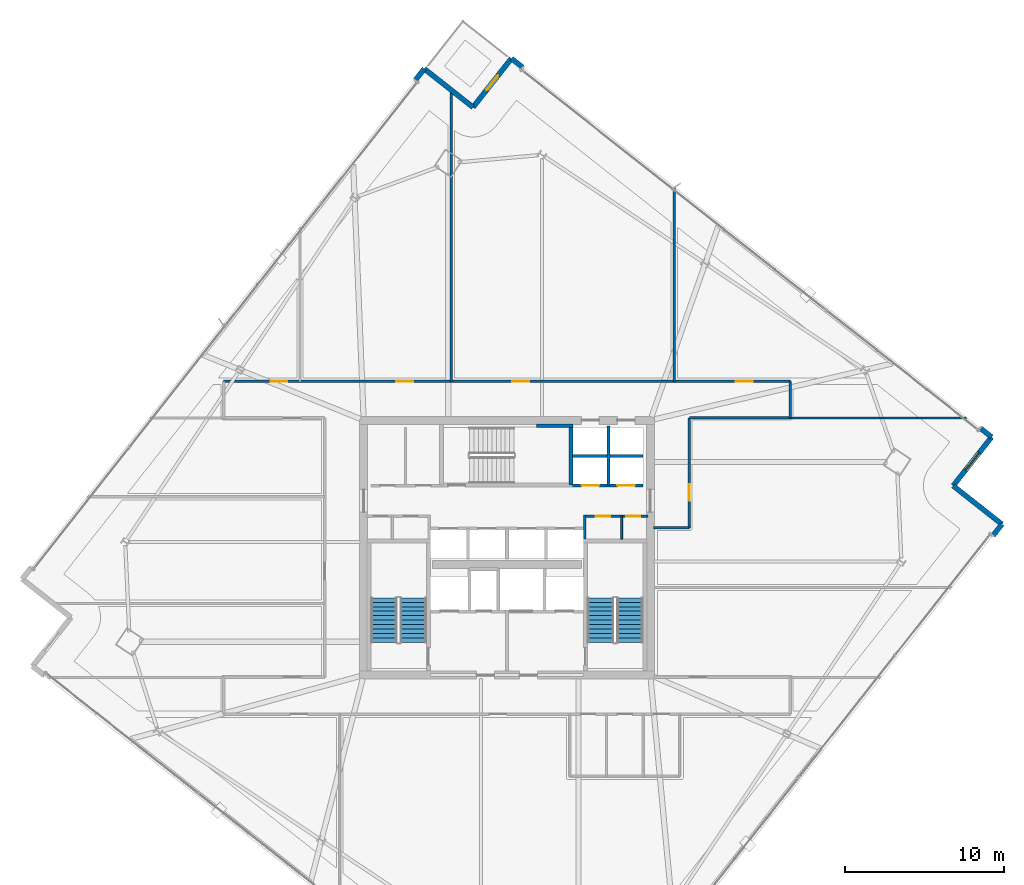
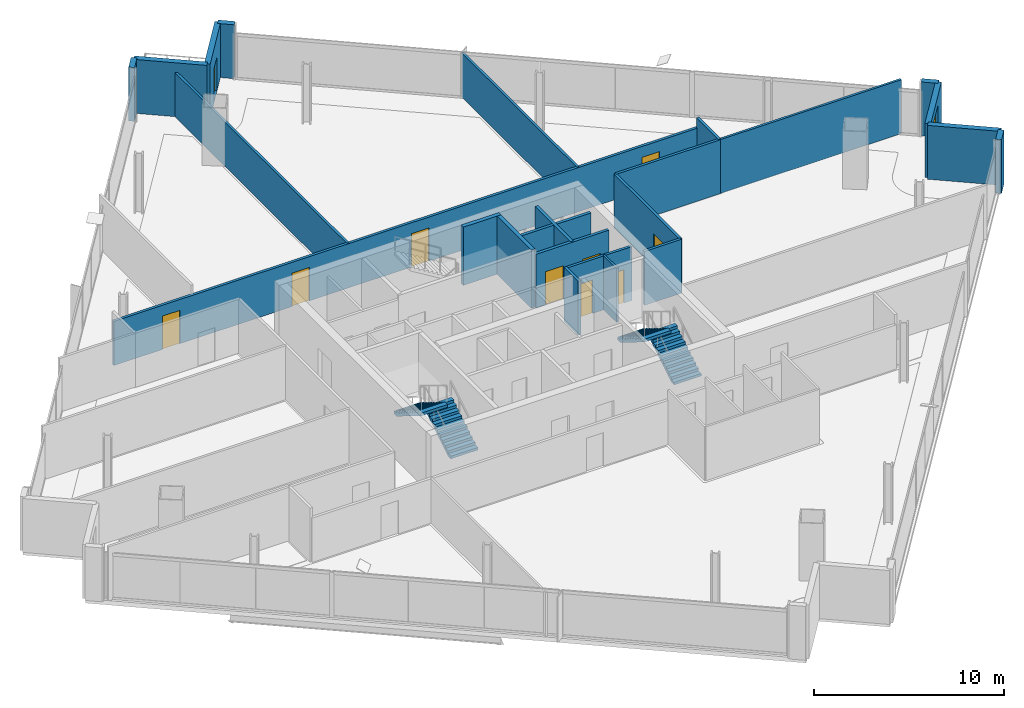
# One storey, part 22 of 28: 24 walls, 10 doors, 4 stair flights, 1 window, 11 openings, 2 elements without a shape of their own.
"""IFC4 building model written with IfcOpenShell, lengths in metres."""

from ifc_helpers import new_model, si_unit, direction, frame, frame_2d, origin, place, context, subcontext, project, spatial, polyline, rectangle, outline, extrude, material, layer, layer_set, type_object, element, fill, aggregate, save


model = new_model("IFC4")

# Units and contexts
model_context = context("Model", 3, precision=1e-05, world=origin(), true_north=direction((0.0, 1.0)))
body_context = subcontext(model_context, "Body", "Model", "MODEL_VIEW")
ifc_project = project(units=[si_unit("LENGTHUNIT", "METRE"), si_unit("AREAUNIT", "SQUARE_METRE"), si_unit("VOLUMEUNIT", "CUBIC_METRE"), si_unit("PLANEANGLEUNIT", "RADIAN"), si_unit("MASSUNIT", "GRAM", prefix="KILO")], contexts=[model_context])

# Site, building, storey
site_placement = place(None, origin())
site = spatial("IfcSite", under=ifc_project, at=site_placement, CompositionType="ELEMENT")
building_placement = place(site_placement, origin())
building = spatial("IfcBuilding", under=site, at=building_placement, Name="Haldenkirk Collegiate Tower", CompositionType="ELEMENT")
storey_placement = place(building_placement, frame((0.0, 0.0, 202.199951171875)))
storey = spatial("IfcBuildingStorey", under=building, at=storey_placement, Name="L50", CompositionType="ELEMENT", Elevation=202.199951171875)

# Walls
ifc_material_1 = material(Name="Precast concrete f'c 40 MPa", Category="concrete")
ifc_layer_1 = layer(ifc_material_1, 0.320068359375)
ifc_layer_set_1 = layer_set([ifc_layer_1], Name="Precast concrete f'c 40 MPa")
wall_type_1 = type_object("IfcWallType", Name="WL-EXT-TWR-320", PredefinedType="STANDARD", material=ifc_layer_set_1)
wall_1_placement = place(storey_placement, frame((67.08447265625, 27.4716796875, 0.0), z_axis=(0.0, 0.0, 1.0), x_axis=(-0.61905480333, -0.785347789501, 0.0)))
element("IfcWall", 1, at=wall_1_placement, inside=storey, type_object=wall_type_1, Name="L50 precast corner pier SL", PredefinedType="STANDARD", context=body_context, shape_type="SweptSolid", body=[
    extrude(rectangle(XDim=0.89990234375, YDim=0.320068359375, at=frame_2d((0.449951171875, 0.0))), origin(), (0.0, 0.0, 1.0), 3.469970703125),
])
wall_2_placement = place(storey_placement, frame((64.021728515625, 29.88623046875, 0.0), z_axis=(0.0, 0.0, 1.0), x_axis=(0.785307209053, -0.61910628119, 0.0)))
element("IfcWall", 2, at=wall_2_placement, inside=storey, type_object=wall_type_1, Name="L50 bronze precast notch wall 02", PredefinedType="STANDARD", context=body_context, shape_type="SweptSolid", body=[
    extrude(rectangle(XDim=3.900146484375, YDim=0.320068359375, at=frame_2d((1.9501953125, 0.0))), origin(), (0.0, 0.0, 1.0), 3.469970703125),
])

# Wall, opening, window
wall_3_placement = place(storey_placement, frame((66.436279296875, 32.948974609375, 0.0), z_axis=(0.0, 0.0, 1.0), x_axis=(-0.61910628119, -0.785307209053, 0.0)))
wall_3 = element("IfcWall", 3, at=wall_3_placement, inside=storey, type_object=wall_type_1, Name="L50 bronze precast notch wall 03", PredefinedType="STANDARD", context=body_context, shape_type="SweptSolid", body=[
    extrude(rectangle(XDim=3.900146484375, YDim=0.320068359375, at=frame_2d((1.9501953125, 0.0))), origin(), (0.0, 0.0, 1.0), 3.469970703125),
])
opening_1_placement = place(wall_3_placement, frame((1.25, 0.0, 0.85009765625)))
opening_1 = element("IfcOpeningElement", 4, at=opening_1_placement, cuts=wall_3, Name="Opening W-06", PredefinedType="OPENING", context=body_context, shape_type="SweptSolid", body=[
    extrude(rectangle(XDim=1.39990234375, YDim=2.0, at=frame_2d((0.699951171875, 1.0))), frame((0.0, 0.169921875, 0.0), z_axis=(0.0, -1.0, 0.0), x_axis=(1.0, 0.0, 0.0)), (0.0, 0.0, 1.0), 0.340087890625),
])
ifc_material_2 = material(Name="Low-E argon triple insulating glass", Category="glass")
ifc_layer_2 = layer(ifc_material_2, 0.090087890625)
ifc_layer_set_2 = layer_set([ifc_layer_2], Name="Low-E argon triple insulating glass")
window_type = type_object("IfcWindowType", Name="WN-Z4-1400X2000", PartitioningType="SINGLE_PANEL", PredefinedType="WINDOW", material=ifc_layer_set_2)
window_placement = place(opening_1_placement, origin())
window = element("IfcWindow", 5, at=window_placement, inside=storey, type_object=window_type, Name="L50 precast-frame academic window 2", OverallHeight=2.0, OverallWidth=1.39990234375, PartitioningType="SINGLE_PANEL", PredefinedType="WINDOW", context=body_context, shape_type="SweptSolid", body=[
    extrude(rectangle(XDim=1.39990234375, YDim=2.0, at=frame_2d((0.699951171875, 1.0))), frame((0.0, 0.030029296875, 0.0), z_axis=(0.0, -1.0, 0.0), x_axis=(1.0, 0.0, 0.0)), (0.0, 0.0, 1.0), 0.06005859375),
])
fill(opening_1, window)

# Walls
for number, where, z_axis, x_axis, name in (
    (6, (36.280029296875, 56.72216796875, 0.0), (0.0, 0.0, 1.0), (0.785347789501, -0.61905480333, 0.0), "L50 precast corner pier EL"),
    (7, (65.7294921875, 33.506103515625, 0.0), (0.0, 0.0, 1.0), (0.785347789501, -0.61905480333, 0.0), "L50 precast corner pier ER"),
):
    element("IfcWall", number, at=place(storey_placement, frame(where, z_axis=z_axis, x_axis=x_axis)), inside=storey, type_object=wall_type_1, Name=name, PredefinedType="STANDARD", context=body_context, shape_type="SweptSolid", body=[
        extrude(rectangle(XDim=0.89990234375, YDim=0.320068359375, at=frame_2d((0.449951171875, 0.0))), origin(), (0.0, 0.0, 1.0), 3.469970703125),
    ])

# Wall, opening, door
wall_4_placement = place(storey_placement, frame((33.865478515625, 53.659423828125, 0.0), z_axis=(0.0, 0.0, 1.0), x_axis=(0.61910628119, 0.785307209053, 0.0)))
wall_4 = element("IfcWall", 8, at=wall_4_placement, inside=storey, type_object=wall_type_1, Name="L50 bronze precast notch wall 05", PredefinedType="STANDARD", context=body_context, shape_type="SweptSolid", body=[
    extrude(rectangle(XDim=3.900146484375, YDim=0.320068359375, at=frame_2d((1.9501953125, 0.0))), origin(), (0.0, 0.0, 1.0), 3.469970703125),
])
opening_2_placement = place(wall_4_placement, frame((1.375, 0.0, 0.0)))
opening_2 = element("IfcOpeningElement", 9, at=opening_2_placement, cuts=wall_4, Name="Opening D-ST11", PredefinedType="OPENING", context=body_context, shape_type="SweptSolid", body=[
    extrude(rectangle(XDim=1.14990234375, YDim=2.199951171875, at=frame_2d((0.574951171875, 1.10009765625))), frame((0.0, 0.169921875, 0.0), z_axis=(0.0, -1.0, 0.0), x_axis=(1.0, 0.0, 0.0)), (0.0, 0.0, 1.0), 0.340087890625),
])
ifc_material_3 = material(Name="Anodised architectural bronze aluminium", Category="aluminium")
ifc_layer_3 = layer(ifc_material_3, 0.080078125)
ifc_layer_set_3 = layer_set([ifc_layer_3], Name="Anodised architectural bronze aluminium")
door_type_1 = type_object("IfcDoorType", Name="DR-EXT-STER-1150", OperationType="NOTDEFINED", PredefinedType="DOOR", material=ifc_layer_set_3)
door_1_placement = place(opening_2_placement, origin())
door_1 = element("IfcDoor", 10, at=door_1_placement, inside=storey, type_object=door_type_1, Name="L50 spiralling terrace door", OperationType="SINGLE_SWING_LEFT", OverallHeight=2.199951171875, OverallWidth=1.14990234375, PredefinedType="DOOR", context=body_context, shape_type="SweptSolid", body=[
    extrude(rectangle(XDim=1.14990234375, YDim=2.199951171875, at=frame_2d((0.574951171875, 1.10009765625))), frame((0.0, 0.02490234375, 0.0), z_axis=(0.0, -1.0, 0.0), x_axis=(1.0, 0.0, 0.0)), (0.0, 0.0, 1.0), 0.050048828125),
])
fill(opening_2, door_1)

# Walls
wall_5_placement = place(storey_placement, frame((30.802734375, 56.073974609375, 0.0), z_axis=(0.0, 0.0, 1.0), x_axis=(0.785307209053, -0.61910628119, 0.0)))
element("IfcWall", 11, at=wall_5_placement, inside=storey, type_object=wall_type_1, Name="L50 bronze precast notch wall 06", PredefinedType="STANDARD", context=body_context, shape_type="SweptSolid", body=[
    extrude(rectangle(XDim=3.900146484375, YDim=0.320068359375, at=frame_2d((1.9501953125, 0.0))), origin(), (0.0, 0.0, 1.0), 3.469970703125),
])
wall_6_placement = place(storey_placement, frame((30.24560546875, 55.3671875, 0.0), z_axis=(0.0, 0.0, 1.0), x_axis=(0.61905480333, 0.785347789501, 0.0)))
element("IfcWall", 12, at=wall_6_placement, inside=storey, type_object=wall_type_1, Name="L50 precast corner pier NR", PredefinedType="STANDARD", context=body_context, shape_type="SweptSolid", body=[
    extrude(rectangle(XDim=0.89990234375, YDim=0.320068359375, at=frame_2d((0.449951171875, 0.0))), origin(), (0.0, 0.0, 1.0), 3.469970703125),
])

# Wall, openings, doors
ifc_material_4 = material(Name="Acoustic fire-rated gypsum partition", Category="concrete")
ifc_layer_4 = layer(ifc_material_4, 0.159912109375)
ifc_layer_set_4 = layer_set([ifc_layer_4], Name="Acoustic fire-rated gypsum partition")
wall_type_2 = type_object("IfcWallType", Name="WL-INT-CORR-160", PredefinedType="PARTITIONING", material=ifc_layer_set_4)
wall_7_placement = place(storey_placement, frame((40.800048828125, 27.97998046875, 0.0), z_axis=(0.0, 0.0, 1.0), x_axis=(1.0, 0.0, 0.0)))
wall_7 = element("IfcWall", 13, at=wall_7_placement, inside=storey, type_object=wall_type_2, Name="L50 interior partition IW-L50-VCSE-N", PredefinedType="PARTITIONING", context=body_context, shape_type="SweptSolid", body=[
    extrude(rectangle(XDim=4.050048828125, YDim=0.159912109375, at=frame_2d((2.02490234375, 0.0))), origin(), (0.0, 0.0, 1.0), 3.469970703125),
])
opening_3_placement = place(wall_7_placement, frame((0.77001953125, 0.0, 0.0)))
opening_3 = element("IfcOpeningElement", 14, at=opening_3_placement, cuts=wall_7, Name="Opening D-11", PredefinedType="OPENING", context=body_context, shape_type="SweptSolid", body=[
    extrude(rectangle(XDim=0.89990234375, YDim=2.14990234375, at=frame_2d((0.449951171875, 1.074951171875))), frame((0.0, 0.08984375, 0.0), z_axis=(0.0, -1.0, 0.0), x_axis=(1.0, 0.0, 0.0)), (0.0, 0.0, 1.0), 0.179931640625),
])
opening_4_placement = place(wall_7_placement, frame((2.679931640625, 0.0, 0.0)))
opening_4 = element("IfcOpeningElement", 15, at=opening_4_placement, cuts=wall_7, Name="Opening D-11", PredefinedType="OPENING", context=body_context, shape_type="SweptSolid", body=[
    extrude(rectangle(XDim=0.89990234375, YDim=2.14990234375, at=frame_2d((0.449951171875, 1.074951171875))), frame((0.0, 0.08984375, 0.0), z_axis=(0.0, -1.0, 0.0), x_axis=(1.0, 0.0, 0.0)), (0.0, 0.0, 1.0), 0.179931640625),
])
ifc_material_5 = material(Name="Solid-core architectural oak fire door", Category="wood")
ifc_layer_5 = layer(ifc_material_5, 0.06005859375)
ifc_layer_set_5 = layer_set([ifc_layer_5], Name="Solid-core architectural oak fire door")
door_type_2 = type_object("IfcDoorType", Name="DR-INT-FD60-900", OperationType="NOTDEFINED", PredefinedType="DOOR", material=ifc_layer_set_5)
door_2_placement = place(opening_3_placement, origin())
door_2 = element("IfcDoor", 16, at=door_2_placement, inside=storey, type_object=door_type_2, Name="L50 core archive door", OperationType="SINGLE_SWING_LEFT", OverallHeight=2.14990234375, OverallWidth=0.89990234375, PredefinedType="DOOR", context=body_context, shape_type="SweptSolid", body=[
    extrude(rectangle(XDim=0.89990234375, YDim=2.14990234375, at=frame_2d((0.449951171875, 1.074951171875))), frame((0.0, 0.02490234375, 0.0), z_axis=(0.0, -1.0, 0.0), x_axis=(1.0, 0.0, 0.0)), (0.0, 0.0, 1.0), 0.050048828125),
])
fill(opening_3, door_2)
door_3_placement = place(opening_4_placement, origin())
door_3 = element("IfcDoor", 17, at=door_3_placement, inside=storey, type_object=door_type_2, Name="L50 core telecom door", OperationType="SINGLE_SWING_RIGHT", OverallHeight=2.14990234375, OverallWidth=0.89990234375, PredefinedType="DOOR", context=body_context, shape_type="SweptSolid", body=[
    extrude(rectangle(XDim=0.89990234375, YDim=2.14990234375, at=frame_2d((0.449951171875, 1.074951171875))), frame((0.0, 0.02490234375, 0.0), z_axis=(0.0, -1.0, 0.0), x_axis=(1.0, 0.0, 0.0)), (0.0, 0.0, 1.0), 0.050048828125),
])
fill(opening_4, door_3)

# Wall
wall_8_placement = place(storey_placement, frame((40.8798828125, 26.5400390625, 0.0), z_axis=(0.0, 0.0, 1.0), x_axis=(0.0, 1.0, 0.0)))
element("IfcWall", 18, at=wall_8_placement, inside=storey, type_object=wall_type_2, Name="L50 interior partition IW-L50-VCSE-W", PredefinedType="PARTITIONING", context=body_context, shape_type="SweptSolid", body=[
    extrude(rectangle(XDim=1.510009765625, YDim=0.159912109375, at=frame_2d((0.7548828125, 0.0))), origin(), (0.0, 0.0, 1.0), 3.469970703125),
])

# Wall, openings, doors
wall_9_placement = place(storey_placement, frame((18.199951171875, 36.449951171875, 0.0), z_axis=(0.0, 0.0, 1.0), x_axis=(1.0, 0.0, 0.0)))
wall_9 = element("IfcWall", 19, at=wall_9_placement, inside=storey, type_object=wall_type_2, Name="L50 interior partition IW-L50-CN", PredefinedType="PARTITIONING", context=body_context, shape_type="SweptSolid", body=[
    extrude(rectangle(XDim=35.60009765625, YDim=0.159912109375, at=frame_2d((17.800048828125, 0.0))), origin(), (0.0, 0.0, 1.0), 2.84912109375),
])
opening_5_placement = place(wall_9_placement, frame((2.965087890625, 0.0, 0.0)))
opening_5 = element("IfcOpeningElement", 20, at=opening_5_placement, cuts=wall_9, Name="Opening D-09", PredefinedType="OPENING", context=body_context, shape_type="SweptSolid", body=[
    extrude(rectangle(XDim=1.050048828125, YDim=2.14990234375, at=frame_2d((0.52490234375, 1.074951171875))), frame((0.0, 0.08984375, 0.0), z_axis=(0.0, -1.0, 0.0), x_axis=(1.0, 0.0, 0.0)), (0.0, 0.0, 1.0), 0.179931640625),
])
opening_6_placement = place(wall_9_placement, frame((10.85498046875, 0.0, 0.0)))
opening_6 = element("IfcOpeningElement", 21, at=opening_6_placement, cuts=wall_9, Name="Opening D-09", PredefinedType="OPENING", context=body_context, shape_type="SweptSolid", body=[
    extrude(rectangle(XDim=1.050048828125, YDim=2.14990234375, at=frame_2d((0.52490234375, 1.074951171875))), frame((0.0, 0.08984375, 0.0), z_axis=(0.0, -1.0, 0.0), x_axis=(1.0, 0.0, 0.0)), (0.0, 0.0, 1.0), 0.179931640625),
])
opening_7_placement = place(wall_9_placement, frame((18.135009765625, 0.0, 0.0)))
opening_7 = element("IfcOpeningElement", 22, at=opening_7_placement, cuts=wall_9, Name="Opening D-09", PredefinedType="OPENING", context=body_context, shape_type="SweptSolid", body=[
    extrude(rectangle(XDim=1.050048828125, YDim=2.14990234375, at=frame_2d((0.52490234375, 1.074951171875))), frame((0.0, 0.08984375, 0.0), z_axis=(0.0, -1.0, 0.0), x_axis=(1.0, 0.0, 0.0)), (0.0, 0.0, 1.0), 0.179931640625),
])
opening_8_placement = place(wall_9_placement, frame((32.175048828125, 0.0, 0.0)))
opening_8 = element("IfcOpeningElement", 23, at=opening_8_placement, cuts=wall_9, Name="Opening D-09", PredefinedType="OPENING", context=body_context, shape_type="SweptSolid", body=[
    extrude(rectangle(XDim=1.050048828125, YDim=2.14990234375, at=frame_2d((0.52490234375, 1.074951171875))), frame((0.0, 0.08984375, 0.0), z_axis=(0.0, -1.0, 0.0), x_axis=(1.0, 0.0, 0.0)), (0.0, 0.0, 1.0), 0.179931640625),
])
ifc_layer_6 = layer(ifc_material_5, 0.06005859375)
ifc_layer_set_6 = layer_set([ifc_layer_6], Name="Solid-core architectural oak fire door")
door_type_3 = type_object("IfcDoorType", Name="DR-INT-FD60-1050", OperationType="NOTDEFINED", PredefinedType="DOOR", material=ifc_layer_set_6)
door_4_placement = place(opening_5_placement, origin())
door_4 = element("IfcDoor", 24, at=door_4_placement, inside=storey, type_object=door_type_3, Name="L50 Wet Science Laboratory 3 door", OperationType="SINGLE_SWING_RIGHT", OverallHeight=2.14990234375, OverallWidth=1.050048828125, PredefinedType="DOOR", context=body_context, shape_type="SweptSolid", body=[
    extrude(rectangle(XDim=1.050048828125, YDim=2.14990234375, at=frame_2d((0.52490234375, 1.074951171875))), frame((0.0, 0.02490234375, 0.0), z_axis=(0.0, -1.0, 0.0), x_axis=(1.0, 0.0, 0.0)), (0.0, 0.0, 1.0), 0.050048828125),
])
fill(opening_5, door_4)
door_5_placement = place(opening_6_placement, origin())
door_5 = element("IfcDoor", 25, at=door_5_placement, inside=storey, type_object=door_type_3, Name="L50 Optics Research Laboratory 4 door", OperationType="SINGLE_SWING_LEFT", OverallHeight=2.14990234375, OverallWidth=1.050048828125, PredefinedType="DOOR", context=body_context, shape_type="SweptSolid", body=[
    extrude(rectangle(XDim=1.050048828125, YDim=2.14990234375, at=frame_2d((0.52490234375, 1.074951171875))), frame((0.0, 0.02490234375, 0.0), z_axis=(0.0, -1.0, 0.0), x_axis=(1.0, 0.0, 0.0)), (0.0, 0.0, 1.0), 0.050048828125),
])
fill(opening_6, door_5)
door_6_placement = place(opening_7_placement, origin())
door_6 = element("IfcDoor", 26, at=door_6_placement, inside=storey, type_object=door_type_3, Name="L50 Departmental Archive 5 door", OperationType="SINGLE_SWING_RIGHT", OverallHeight=2.14990234375, OverallWidth=1.050048828125, PredefinedType="DOOR", context=body_context, shape_type="SweptSolid", body=[
    extrude(rectangle(XDim=1.050048828125, YDim=2.14990234375, at=frame_2d((0.52490234375, 1.074951171875))), frame((0.0, 0.02490234375, 0.0), z_axis=(0.0, -1.0, 0.0), x_axis=(1.0, 0.0, 0.0)), (0.0, 0.0, 1.0), 0.050048828125),
])
fill(opening_7, door_6)
door_7_placement = place(opening_8_placement, origin())
door_7 = element("IfcDoor", 27, at=door_7_placement, inside=storey, type_object=door_type_3, Name="L50 Instrument Store Room 6 door", OperationType="SINGLE_SWING_LEFT", OverallHeight=2.14990234375, OverallWidth=1.050048828125, PredefinedType="DOOR", context=body_context, shape_type="SweptSolid", body=[
    extrude(rectangle(XDim=1.050048828125, YDim=2.14990234375, at=frame_2d((0.52490234375, 1.074951171875))), frame((0.0, 0.02490234375, 0.0), z_axis=(0.0, -1.0, 0.0), x_axis=(1.0, 0.0, 0.0)), (0.0, 0.0, 1.0), 0.050048828125),
])
fill(opening_8, door_7)

# Wall
wall_10_placement = place(storey_placement, frame((47.449951171875, 34.14990234375, 0.0), z_axis=(0.0, 0.0, 1.0), x_axis=(1.0, 0.0, 0.0)))
element("IfcWall", 28, at=wall_10_placement, inside=storey, type_object=wall_type_2, Name="L50 interior partition IW-L50-CNE", PredefinedType="PARTITIONING", context=body_context, shape_type="SweptSolid", body=[
    extrude(rectangle(XDim=6.35009765625, YDim=0.159912109375, at=frame_2d((3.175048828125, 0.0))), origin(), (0.0, 0.0, 1.0), 3.469970703125),
])

# Wall, opening, door
wall_11_placement = place(storey_placement, frame((47.449951171875, 27.25, 0.0), z_axis=(0.0, 0.0, 1.0), x_axis=(0.0, 1.0, 0.0)))
wall_11 = element("IfcWall", 29, at=wall_11_placement, inside=storey, type_object=wall_type_2, Name="L50 interior partition IW-L50-CE", PredefinedType="PARTITIONING", context=body_context, shape_type="SweptSolid", body=[
    extrude(rectangle(XDim=6.89990234375, YDim=0.159912109375, at=frame_2d((3.449951171875, 0.0))), origin(), (0.0, 0.0, 1.0), 3.469970703125),
])
opening_9_placement = place(wall_11_placement, frame((1.68310546875, 0.0, 0.0)))
opening_9 = element("IfcOpeningElement", 30, at=opening_9_placement, cuts=wall_11, Name="Opening D-09", PredefinedType="OPENING", context=body_context, shape_type="SweptSolid", body=[
    extrude(rectangle(XDim=1.050048828125, YDim=2.14990234375, at=frame_2d((0.52490234375, 1.074951171875))), frame((0.0, 0.08984375, 0.0), z_axis=(0.0, -1.0, 0.0), x_axis=(1.0, 0.0, 0.0)), (0.0, 0.0, 1.0), 0.179931640625),
])
door_8_placement = place(opening_9_placement, origin())
door_8 = element("IfcDoor", 31, at=door_8_placement, inside=storey, type_object=door_type_3, Name="L50 Departmental Archive 11 door", OperationType="SINGLE_SWING_RIGHT", OverallHeight=2.14990234375, OverallWidth=1.050048828125, PredefinedType="DOOR", context=body_context, shape_type="SweptSolid", body=[
    extrude(rectangle(XDim=1.050048828125, YDim=2.14990234375, at=frame_2d((0.52490234375, 1.074951171875))), frame((0.0, 0.02490234375, 0.0), z_axis=(0.0, -1.0, 0.0), x_axis=(1.0, 0.0, 0.0)), (0.0, 0.0, 1.0), 0.050048828125),
])
fill(opening_9, door_8)

# Walls
wall_12_placement = place(storey_placement, frame((45.199951171875, 27.25, 0.0), z_axis=(0.0, 0.0, 1.0), x_axis=(1.0, 0.0, 0.0)))
element("IfcWall", 32, at=wall_12_placement, inside=storey, type_object=wall_type_2, Name="L50 interior partition IW-L50-CES", PredefinedType="PARTITIONING", context=body_context, shape_type="SweptSolid", body=[
    extrude(rectangle(XDim=2.25, YDim=0.159912109375, at=frame_2d((1.125, 0.0))), origin(), (0.0, 0.0, 1.0), 3.469970703125),
])
wall_13_placement = place(storey_placement, frame((53.800048828125, 34.14990234375, 0.0), z_axis=(0.0, 0.0, 1.0), x_axis=(0.0, 1.0, 0.0)))
element("IfcWall", 33, at=wall_13_placement, inside=storey, type_object=wall_type_2, Name="L50 interior partition IW-L50-CNR", PredefinedType="PARTITIONING", context=body_context, shape_type="SweptSolid", body=[
    extrude(rectangle(XDim=2.300048828125, YDim=0.159912109375, at=frame_2d((1.14990234375, 0.0))), origin(), (0.0, 0.0, 1.0), 3.469970703125),
])
ifc_layer_7 = layer(ifc_material_4, 0.139892578125)
ifc_layer_set_7 = layer_set([ifc_layer_7], Name="Acoustic fire-rated gypsum partition")
wall_type_3 = type_object("IfcWallType", Name="WL-INT-DIV-140", PredefinedType="PARTITIONING", material=ifc_layer_set_7)
wall_14_placement = place(storey_placement, frame((53.800048828125, 34.14990234375, 0.0), z_axis=(0.0, 0.0, 1.0), x_axis=(1.0, 0.0, 0.0)))
element("IfcWall", 34, at=wall_14_placement, inside=storey, type_object=wall_type_3, Name="L50 interior partition IW-L50-BEN", PredefinedType="PARTITIONING", context=body_context, shape_type="SweptSolid", body=[
    extrude(rectangle(XDim=11.048095703125, YDim=0.139892578125, at=frame_2d((5.52392578125, 0.0))), origin(), (0.0, 0.0, 1.0), 3.469970703125),
])
wall_15_placement = place(storey_placement, frame((32.5, 36.449951171875, 0.0), z_axis=(0.0, 0.0, 1.0), x_axis=(0.0, 1.0, 0.0)))
element("IfcWall", 35, at=wall_15_placement, inside=storey, type_object=wall_type_3, Name="L50 interior partition IW-L50-RN2", PredefinedType="PARTITIONING", context=body_context, shape_type="SweptSolid", body=[
    extrude(rectangle(XDim=18.235107421875, YDim=0.139892578125, at=frame_2d((9.11767578125, 0.0))), origin(), (0.0, 0.0, 1.0), 2.84912109375),
])
wall_16_placement = place(storey_placement, frame((46.5, 36.449951171875, 0.0), z_axis=(0.0, 0.0, 1.0), x_axis=(0.0, 1.0, 0.0)))
element("IfcWall", 36, at=wall_16_placement, inside=storey, type_object=wall_type_3, Name="L50 interior partition IW-L50-RN3", PredefinedType="PARTITIONING", context=body_context, shape_type="SweptSolid", body=[
    extrude(rectangle(XDim=12.16455078125, YDim=0.139892578125, at=frame_2d((6.082275390625, 0.0))), origin(), (0.0, 0.0, 1.0), 2.84912109375),
])

# Wall, openings, doors
ifc_material_6 = material(Name="Fire-rated gypsum shaftboard assembly", Category="concrete")
ifc_layer_8 = layer(ifc_material_6, 0.179931640625)
ifc_layer_set_8 = layer_set([ifc_layer_8], Name="Fire-rated gypsum shaftboard assembly")
wall_type_4 = type_object("IfcWallType", Name="WL-INT-SHAFT-180", PredefinedType="PARTITIONING", material=ifc_layer_set_8)
wall_17_placement = place(storey_placement, frame((40.1201171875, 29.89990234375, 0.0), z_axis=(0.0, 0.0, 1.0), x_axis=(1.0, 0.0, 0.0)))
wall_17 = element("IfcWall", 37, at=wall_17_placement, inside=storey, type_object=wall_type_4, Name="L50 interior partition IW-L50-PMS", PredefinedType="PARTITIONING", context=body_context, shape_type="SweptSolid", body=[
    extrude(rectangle(XDim=4.429931640625, YDim=0.179931640625, at=frame_2d((2.21484375, 0.0))), origin(), (0.0, 0.0, 1.0), 3.469970703125),
])
opening_10_placement = place(wall_17_placement, frame((0.56494140625, 0.0, 0.0)))
opening_10 = element("IfcOpeningElement", 38, at=opening_10_placement, cuts=wall_17, Name="Opening LD-11", PredefinedType="OPENING", context=body_context, shape_type="SweptSolid", body=[
    extrude(rectangle(XDim=1.10009765625, YDim=2.14990234375, at=frame_2d((0.550048828125, 1.074951171875))), frame((0.0, 0.099853515625, 0.0), z_axis=(0.0, -1.0, 0.0), x_axis=(1.0, 0.0, 0.0)), (0.0, 0.0, 1.0), 0.199951171875),
])
opening_11_placement = place(wall_17_placement, frame((2.81494140625, 0.0, 0.0)))
opening_11 = element("IfcOpeningElement", 39, at=opening_11_placement, cuts=wall_17, Name="Opening LD-11", PredefinedType="OPENING", context=body_context, shape_type="SweptSolid", body=[
    extrude(rectangle(XDim=1.10009765625, YDim=2.14990234375, at=frame_2d((0.550048828125, 1.074951171875))), frame((0.0, 0.099853515625, 0.0), z_axis=(0.0, -1.0, 0.0), x_axis=(1.0, 0.0, 0.0)), (0.0, 0.0, 1.0), 0.199951171875),
])
ifc_material_7 = material(Name="Brushed architectural stainless steel", Category="steel")
ifc_layer_9 = layer(ifc_material_7, 0.06005859375)
ifc_layer_set_9 = layer_set([ifc_layer_9], Name="Brushed architectural stainless steel")
door_type_4 = type_object("IfcDoorType", Name="LD-PASS-1100", OperationType="NOTDEFINED", PredefinedType="DOOR", material=ifc_layer_set_9)
door_9_placement = place(opening_10_placement, origin())
door_9 = element("IfcDoor", 40, at=door_9_placement, inside=storey, type_object=door_type_4, Name="L50 Elevator PM1 sliding landing door", OperationType="SLIDING_TO_LEFT", OverallHeight=2.14990234375, OverallWidth=1.10009765625, PredefinedType="DOOR", context=body_context, shape_type="SweptSolid", body=[
    extrude(rectangle(XDim=1.10009765625, YDim=2.14990234375, at=frame_2d((0.550048828125, 1.074951171875))), frame((0.0, 0.02490234375, 0.0), z_axis=(0.0, -1.0, 0.0), x_axis=(1.0, 0.0, 0.0)), (0.0, 0.0, 1.0), 0.050048828125),
])
fill(opening_10, door_9)
door_10_placement = place(opening_11_placement, origin())
door_10 = element("IfcDoor", 41, at=door_10_placement, inside=storey, type_object=door_type_4, Name="L50 Elevator PM2 sliding landing door", OperationType="SLIDING_TO_LEFT", OverallHeight=2.14990234375, OverallWidth=1.10009765625, PredefinedType="DOOR", context=body_context, shape_type="SweptSolid", body=[
    extrude(rectangle(XDim=1.10009765625, YDim=2.14990234375, at=frame_2d((0.550048828125, 1.074951171875))), frame((0.0, 0.02490234375, 0.0), z_axis=(0.0, -1.0, 0.0), x_axis=(1.0, 0.0, 0.0)), (0.0, 0.0, 1.0), 0.050048828125),
])
fill(opening_11, door_10)

# Walls
wall_18_placement = place(storey_placement, frame((40.1201171875, 31.75, 0.0), z_axis=(0.0, 0.0, 1.0), x_axis=(1.0, 0.0, 0.0)))
element("IfcWall", 42, at=wall_18_placement, inside=storey, type_object=wall_type_4, Name="L50 interior partition IW-L50-PMM", PredefinedType="PARTITIONING", context=body_context, shape_type="SweptSolid", body=[
    extrude(rectangle(XDim=4.429931640625, YDim=0.179931640625, at=frame_2d((2.21484375, 0.0))), origin(), (0.0, 0.0, 1.0), 3.469970703125),
])
wall_19_placement = place(storey_placement, frame((42.3701171875, 29.89990234375, 0.0), z_axis=(0.0, 0.0, 1.0), x_axis=(0.0, 1.0, 0.0)))
element("IfcWall", 43, at=wall_19_placement, inside=storey, type_object=wall_type_4, Name="L50 interior partition IW-L50-PMV", PredefinedType="PARTITIONING", context=body_context, shape_type="SweptSolid", body=[
    extrude(rectangle(XDim=3.75, YDim=0.179931640625, at=frame_2d((1.875, 0.0))), origin(), (0.0, 0.0, 1.0), 3.469970703125),
])
ifc_layer_10 = layer(ifc_material_4, 0.1201171875)
ifc_layer_set_10 = layer_set([ifc_layer_10], Name="Acoustic fire-rated gypsum partition")
wall_type_5 = type_object("IfcWallType", Name="WL-INT-WET-120", PredefinedType="PARTITIONING", material=ifc_layer_set_10)
wall_20_placement = place(storey_placement, frame((43.199951171875, 26.5400390625, 0.0), z_axis=(0.0, 0.0, 1.0), x_axis=(0.0, 1.0, 0.0)))
element("IfcWall", 44, at=wall_20_placement, inside=storey, type_object=wall_type_5, Name="L50 interior partition IW-L50-VCSE-M", PredefinedType="PARTITIONING", context=body_context, shape_type="SweptSolid", body=[
    extrude(rectangle(XDim=1.43994140625, YDim=0.1201171875, at=frame_2d((0.719970703125, 0.0))), origin(), (0.0, 0.0, 1.0), 3.469970703125),
])
ifc_material_8 = material(Name="Concrete f'c 55 MPa", Category="concrete")
ifc_layer_11 = layer(ifc_material_8, 0.239990234375)
ifc_layer_set_11 = layer_set([ifc_layer_11], Name="Concrete f'c 55 MPa")
wall_type_6 = type_object("IfcWallType", Name="WL-SHAFT-240", PredefinedType="SHEAR", material=ifc_layer_set_11)
wall_21_placement = place(storey_placement, frame((40.02001953125, 29.929931640625, 0.0), z_axis=(0.0, 0.0, 1.0), x_axis=(0.0, 1.0, 0.0)))
element("IfcWall", 45, at=wall_21_placement, inside=storey, type_object=wall_type_6, Name="L50 stair shaft shear wall SW-L50-ST3E", PredefinedType="SHEAR", context=body_context, shape_type="SweptSolid", body=[
    extrude(rectangle(XDim=3.85009765625, YDim=0.239990234375, at=frame_2d((1.925048828125, 0.0))), origin(), (0.0, 0.0, 1.0), 3.75),
])
wall_22_placement = place(storey_placement, frame((37.85009765625, 33.659912109375, 0.0), z_axis=(0.0, 0.0, 1.0), x_axis=(1.0, 0.0, 0.0)))
element("IfcWall", 46, at=wall_22_placement, inside=storey, type_object=wall_type_6, Name="L50 stair shaft shear wall SW-L50-ST3N", PredefinedType="SHEAR", context=body_context, shape_type="SweptSolid", body=[
    extrude(rectangle(XDim=2.289794921875, YDim=0.239990234375, at=frame_2d((1.14501953125, 0.0))), origin(), (0.0, 0.0, 1.0), 3.75),
])

# Stair, stair flights
ifc_material_9 = material(Name="Concrete f'c 40 MPa", Category="concrete")
stair_type = type_object("IfcStairType", Name="STR-DOGLEG-1650", PredefinedType="HALF_TURN_STAIR", material=ifc_material_9)
stair_1_placement = place(storey_placement, origin())
stair_1 = element("IfcStair", 47, at=stair_1_placement, inside=storey, type_object=stair_type, Name="L50 Core Exit Stair ST-1", PredefinedType="HALF_TURN_STAIR")
stair_flight_type = type_object("IfcStairFlightType", Name="STF-FLIGHT-1650", PredefinedType="STRAIGHT", material=ifc_material_9)
stair_flight_1_placement = place(storey_placement, frame((30.125, 20.050048828125, 0.0), z_axis=(0.0, 0.0, 1.0), x_axis=(0.0, 1.0, 0.0)))
stair_flight_1 = element("IfcStairFlight", 48, at=stair_flight_1_placement, type_object=stair_flight_type, Name="ST-1 flight 1", NumberOfRisers=11, NumberOfTreads=10, PredefinedType="STRAIGHT", RiserHeight=0.170454545, TreadLength=0.28, context=body_context, shape_type="SweptSolid", body=[
    extrude(outline(polyline([(0.0, 0.0), (0.0, 0.17041015625), (0.280029296875, 0.17041015625), (0.280029296875, 0.3408203125), (0.56005859375, 0.3408203125), (0.56005859375, 0.511474609375), (0.840087890625, 0.511474609375), (0.840087890625, 0.681884765625), (1.1201171875, 0.681884765625), (1.1201171875, 0.852294921875), (1.39990234375, 0.852294921875), (1.39990234375, 1.022705078125), (1.679931640625, 1.022705078125), (1.679931640625, 1.193115234375), (1.9599609375, 1.193115234375), (1.9599609375, 1.363525390625), (2.239990234375, 1.363525390625), (2.239990234375, 1.5341796875), (2.52001953125, 1.5341796875), (2.52001953125, 1.70458984375), (2.800048828125, 1.70458984375), (2.800048828125, 1.875), (2.800048828125, 1.529052734375), (0.288330078125, 0.0), (0.0, 0.0)])), frame((0.0, 0.824951171875, 0.0), z_axis=(0.0, -1.0, 0.0), x_axis=(1.0, 0.0, 0.0)), (0.0, 0.0, 1.0), 1.64990234375),
])
stair_flight_2_placement = place(storey_placement, frame((28.27490234375, 22.85009765625, 1.875), z_axis=(0.0, 0.0, 1.0), x_axis=(0.0, -1.0, 0.0)))
stair_flight_2 = element("IfcStairFlight", 49, at=stair_flight_2_placement, type_object=stair_flight_type, Name="ST-1 flight 2", NumberOfRisers=11, NumberOfTreads=10, PredefinedType="STRAIGHT", RiserHeight=0.170454545, TreadLength=0.28, context=body_context, shape_type="SweptSolid", body=[
    extrude(outline(polyline([(0.0, 0.0), (0.0, 0.17041015625), (0.280029296875, 0.17041015625), (0.280029296875, 0.3408203125), (0.56005859375, 0.3408203125), (0.56005859375, 0.511474609375), (0.840087890625, 0.511474609375), (0.840087890625, 0.681884765625), (1.1201171875, 0.681884765625), (1.1201171875, 0.852294921875), (1.39990234375, 0.852294921875), (1.39990234375, 1.022705078125), (1.679931640625, 1.022705078125), (1.679931640625, 1.193115234375), (1.9599609375, 1.193115234375), (1.9599609375, 1.363525390625), (2.239990234375, 1.363525390625), (2.239990234375, 1.5341796875), (2.52001953125, 1.5341796875), (2.52001953125, 1.70458984375), (2.800048828125, 1.70458984375), (2.800048828125, 1.875), (2.800048828125, 1.529052734375), (0.288330078125, 0.0), (0.0, 0.0)])), frame((0.0, 0.824951171875, 0.0), z_axis=(0.0, -1.0, 0.0), x_axis=(1.0, 0.0, 0.0)), (0.0, 0.0, 1.0), 1.64990234375),
])
aggregate(stair_1, [stair_flight_1, stair_flight_2])

stair_2_placement = place(storey_placement, origin())
stair_2 = element("IfcStair", 50, at=stair_2_placement, inside=storey, type_object=stair_type, Name="L50 Core Exit Stair ST-2", PredefinedType="HALF_TURN_STAIR")
stair_flight_3_placement = place(storey_placement, frame((43.72509765625, 20.050048828125, 0.0), z_axis=(0.0, 0.0, 1.0), x_axis=(0.0, 1.0, 0.0)))
stair_flight_3 = element("IfcStairFlight", 51, at=stair_flight_3_placement, type_object=stair_flight_type, Name="ST-2 flight 1", NumberOfRisers=11, NumberOfTreads=10, PredefinedType="STRAIGHT", RiserHeight=0.170454545, TreadLength=0.28, context=body_context, shape_type="SweptSolid", body=[
    extrude(outline(polyline([(0.0, 0.0), (0.0, 0.17041015625), (0.280029296875, 0.17041015625), (0.280029296875, 0.3408203125), (0.56005859375, 0.3408203125), (0.56005859375, 0.511474609375), (0.840087890625, 0.511474609375), (0.840087890625, 0.681884765625), (1.1201171875, 0.681884765625), (1.1201171875, 0.852294921875), (1.39990234375, 0.852294921875), (1.39990234375, 1.022705078125), (1.679931640625, 1.022705078125), (1.679931640625, 1.193115234375), (1.9599609375, 1.193115234375), (1.9599609375, 1.363525390625), (2.239990234375, 1.363525390625), (2.239990234375, 1.5341796875), (2.52001953125, 1.5341796875), (2.52001953125, 1.70458984375), (2.800048828125, 1.70458984375), (2.800048828125, 1.875), (2.800048828125, 1.529052734375), (0.288330078125, 0.0), (0.0, 0.0)])), frame((0.0, 0.824951171875, 0.0), z_axis=(0.0, -1.0, 0.0), x_axis=(1.0, 0.0, 0.0)), (0.0, 0.0, 1.0), 1.64990234375),
])
stair_flight_4_placement = place(storey_placement, frame((41.875, 22.85009765625, 1.875), z_axis=(0.0, 0.0, 1.0), x_axis=(0.0, -1.0, 0.0)))
stair_flight_4 = element("IfcStairFlight", 52, at=stair_flight_4_placement, type_object=stair_flight_type, Name="ST-2 flight 2", NumberOfRisers=11, NumberOfTreads=10, PredefinedType="STRAIGHT", RiserHeight=0.170454545, TreadLength=0.28, context=body_context, shape_type="SweptSolid", body=[
    extrude(outline(polyline([(0.0, 0.0), (0.0, 0.17041015625), (0.280029296875, 0.17041015625), (0.280029296875, 0.3408203125), (0.56005859375, 0.3408203125), (0.56005859375, 0.511474609375), (0.840087890625, 0.511474609375), (0.840087890625, 0.681884765625), (1.1201171875, 0.681884765625), (1.1201171875, 0.852294921875), (1.39990234375, 0.852294921875), (1.39990234375, 1.022705078125), (1.679931640625, 1.022705078125), (1.679931640625, 1.193115234375), (1.9599609375, 1.193115234375), (1.9599609375, 1.363525390625), (2.239990234375, 1.363525390625), (2.239990234375, 1.5341796875), (2.52001953125, 1.5341796875), (2.52001953125, 1.70458984375), (2.800048828125, 1.70458984375), (2.800048828125, 1.875), (2.800048828125, 1.529052734375), (0.288330078125, 0.0), (0.0, 0.0)])), frame((0.0, 0.824951171875, 0.0), z_axis=(0.0, -1.0, 0.0), x_axis=(1.0, 0.0, 0.0)), (0.0, 0.0, 1.0), 1.64990234375),
])
aggregate(stair_2, [stair_flight_3, stair_flight_4])

save(model, "model.ifc")
